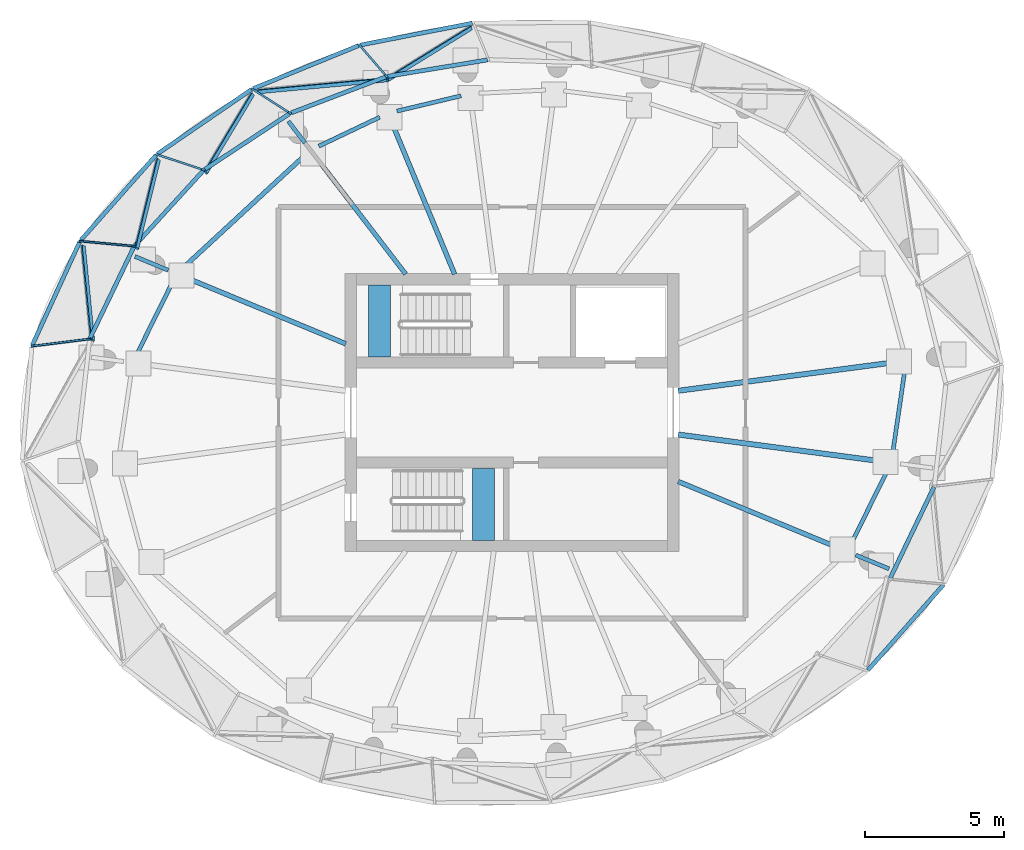
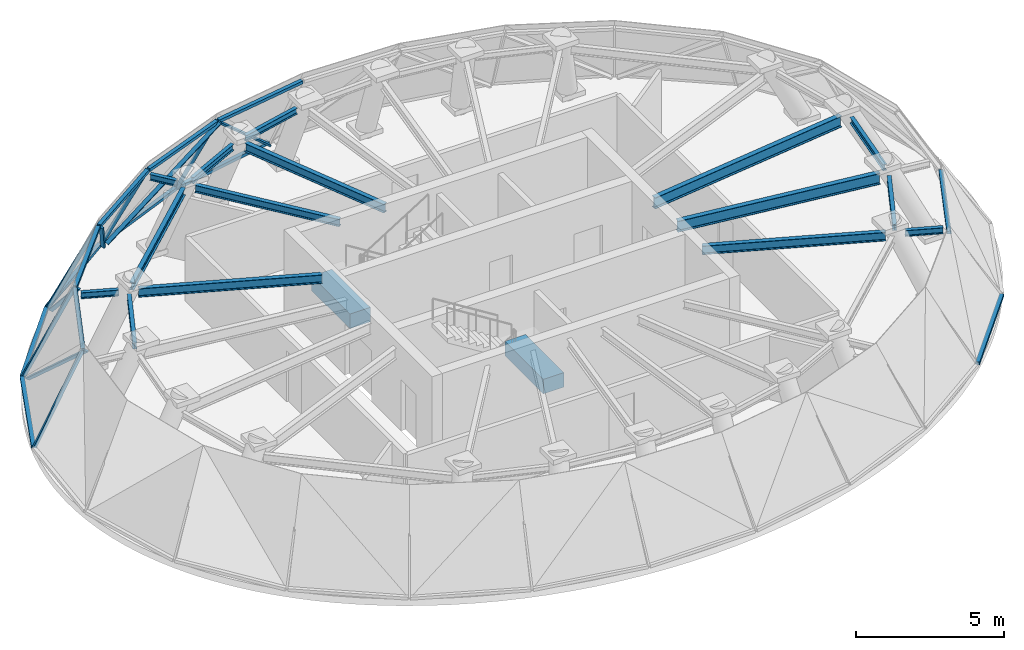
# One storey, part 3 of 9: 22 members, 17 beams, 13 elements without a shape of their own.
"""IFC4 building model written with IfcOpenShell, lengths in metres."""

from ifc_helpers import new_model, si_unit, direction, frame, origin, origin_2d, place, context, subcontext, project, spatial, rectangle, i_section, extrude, source, transform, mapped, material, layer, layer_set, material_profile, profile_set, type_object, element, aggregate, save


model = new_model("IFC4")

# Units and contexts
model_context = context("Model", 3, precision=1e-05, world=origin(), true_north=direction((0.0, 1.0)))
body_context = subcontext(model_context, "Body", "Model", "MODEL_VIEW")
ifc_project = project(units=[si_unit("LENGTHUNIT", "METRE"), si_unit("AREAUNIT", "SQUARE_METRE"), si_unit("VOLUMEUNIT", "CUBIC_METRE"), si_unit("PLANEANGLEUNIT", "RADIAN"), si_unit("MASSUNIT", "GRAM", prefix="KILO")], contexts=[model_context])

# Site, building, storey
site_placement = place(None, origin())
site = spatial("IfcSite", under=ifc_project, at=site_placement, CompositionType="ELEMENT")
building_placement = place(site_placement, origin())
building = spatial("IfcBuilding", under=site, at=building_placement, Name="Spindrift Exchange Tower", CompositionType="ELEMENT")
storey_placement = place(building_placement, frame((0.0, 0.0, 276.60009765625)))
storey = spatial("IfcBuildingStorey", under=building, at=storey_placement, Name="L68", CompositionType="ELEMENT", Elevation=276.60009765625)

# Beams
ifc_material_1 = material(Name="Steel Grade 300", Category="steel")
ifc_material_profile_1 = material_profile(ifc_material_1, i_section(OverallWidth=0.18994140625, OverallDepth=0.45703125, WebThickness=0.009033203125, FlangeThickness=0.014404296875, FilletRadius=0.013916015625, at=origin_2d()), Name="460UB74.6")
ifc_profile_set_1 = profile_set([ifc_material_profile_1], Name="Steel Grade 300")
beam_type_1 = type_object("IfcBeamType", Name="Floor Beam 460UB74.6 Steel Grade 300", PredefinedType="BEAM", material=ifc_profile_set_1)
shared_shape_1 = source(origin(), body_context, "Body", "SweptSolid", [
    extrude(i_section(OverallWidth=0.18994140625, OverallDepth=0.45703125, WebThickness=0.009033203125, FlangeThickness=0.014404296875, FilletRadius=0.013916015625, at=origin_2d()), origin(), (0.0, 0.0, 1.0), 7.943115234375),
])
beam_1_placement = place(storey_placement, frame((57.980224609375, 48.787353515625, 2.991455078125), z_axis=(0.991443726216, 0.130534814311, 0.0), x_axis=(-0.130534814311, 0.991443726216, 0.0)))
element("IfcBeam", 1, at=beam_1_placement, inside=storey, type_object=beam_type_1, Name="L68 radial beam R01A", PredefinedType="BEAM", context=body_context, shape_type="MappedRepresentation", body=[
    mapped(shared_shape_1, transform((0.0, 0.0, 0.0), scale=1.0)),
])
ifc_material_profile_2 = material_profile(ifc_material_1, i_section(OverallWidth=0.172119140625, OverallDepth=0.35888671875, WebThickness=0.008056640625, FlangeThickness=0.012939453125, FilletRadius=0.013916015625, at=origin_2d()), Name="360UB56.7")
ifc_profile_set_2 = profile_set([ifc_material_profile_2], Name="Steel Grade 300")
beam_type_2 = type_object("IfcBeamType", Name="Floor Beam 360UB56.7 Steel Grade 300", PredefinedType="BEAM", material=ifc_profile_set_2)
shared_shape_2 = source(origin(), body_context, "Body", "SweptSolid", [
    extrude(i_section(OverallWidth=0.172119140625, OverallDepth=0.35888671875, WebThickness=0.008056640625, FlangeThickness=0.012939453125, FilletRadius=0.013916015625, at=origin_2d()), origin(), (0.0, 0.0, 1.0), 5.937255859375),
])
beam_2_placement = place(storey_placement, frame((49.9365234375, 52.9814453125, 3.040283203125), z_axis=(-0.382664117037, 0.923887532946, 0.0), x_axis=(-0.923887532946, -0.382664117037, 0.0)))
element("IfcBeam", 2, at=beam_2_placement, inside=storey, type_object=beam_type_2, Name="L68 radial beam R08A", PredefinedType="BEAM", context=body_context, shape_type="MappedRepresentation", body=[
    mapped(shared_shape_2, transform((0.0, 0.0, 0.0), scale=1.0)),
])
ifc_material_profile_3 = material_profile(ifc_material_1, i_section(OverallWidth=0.1650390625, OverallDepth=0.303955078125, WebThickness=0.006103515625, FlangeThickness=0.01025390625, FilletRadius=0.011474609375, at=origin_2d()), Name="310UB40.4")
ifc_profile_set_3 = profile_set([ifc_material_profile_3], Name="Steel Grade 300")
beam_type_3 = type_object("IfcBeamType", Name="Floor Beam 310UB40.4 Steel Grade 300", PredefinedType="BEAM", material=ifc_profile_set_3)
shared_shape_3 = source(origin(), body_context, "Body", "SweptSolid", [
    extrude(i_section(OverallWidth=0.1650390625, OverallDepth=0.303955078125, WebThickness=0.006103515625, FlangeThickness=0.01025390625, FilletRadius=0.011474609375, at=origin_2d()), origin(), (0.0, 0.0, 1.0), 5.2939453125),
])
beam_3_placement = place(storey_placement, frame((48.175537109375, 52.984130859375, 3.06787109375), z_axis=(-0.608780987308, 0.793338332297, 0.0), x_axis=(-0.793338332297, -0.608780987308, 0.0)))
element("IfcBeam", 3, at=beam_3_placement, inside=storey, type_object=beam_type_3, Name="L68 radial beam R09A", PredefinedType="BEAM", context=body_context, shape_type="MappedRepresentation", body=[
    mapped(shared_shape_3, transform((0.0, 0.0, 0.0), scale=1.0)),
])
ifc_material_profile_4 = material_profile(ifc_material_1, i_section(OverallWidth=0.14599609375, OverallDepth=0.251953125, WebThickness=0.006103515625, FlangeThickness=0.008544921875, FilletRadius=0.011962890625, at=origin_2d()), Name="250UB31.4")
ifc_profile_set_4 = profile_set([ifc_material_profile_4], Name="Steel Grade 300")
beam_type_4 = type_object("IfcBeamType", Name="Cantilever Beam 250UB31.4 Steel Grade 300", PredefinedType="BEAM", material=ifc_profile_set_4)
shared_shape_4 = source(origin(), body_context, "Body", "SweptSolid", [
    extrude(i_section(OverallWidth=0.14599609375, OverallDepth=0.251953125, WebThickness=0.006103515625, FlangeThickness=0.008544921875, FilletRadius=0.011962890625, at=origin_2d()), origin(), (0.0, 0.0, 1.0), 0.979736328125),
])
beam_4_placement = place(storey_placement, frame((44.551025390625, 57.707763671875, 3.093994140625), z_axis=(-0.60873490351, 0.793373693318, 0.0), x_axis=(-0.793373693318, -0.60873490351, 0.0)))
element("IfcBeam", 4, at=beam_4_placement, inside=storey, type_object=beam_type_4, Name="L68 cantilever beam R09T", PredefinedType="BEAM", context=body_context, shape_type="MappedRepresentation", body=[
    mapped(shared_shape_4, transform((0.0, 0.0, 0.0), scale=1.0)),
])
shared_shape_5 = source(origin(), body_context, "Body", "SweptSolid", [
    extrude(i_section(OverallWidth=0.172119140625, OverallDepth=0.35888671875, WebThickness=0.008056640625, FlangeThickness=0.012939453125, FilletRadius=0.013916015625, at=origin_2d()), origin(), (0.0, 0.0, 1.0), 6.254150390625),
])
for number, where, z_axis, x_axis, name in (
    (5, (46.0185546875, 50.4775390625, 3.040283203125), (-0.923882187644, 0.382677022245, 0.0), (-0.382677022245, -0.923882187644, 0.0), "L68 radial beam R11A"),
    (6, (57.9814453125, 45.5224609375, 3.040283203125), (0.923882187644, -0.382677022245, 0.0), (0.382677022245, 0.923882187644, 0.0), "L68 radial beam R23A"),
):
    element("IfcBeam", number, at=place(storey_placement, frame(where, z_axis=z_axis, x_axis=x_axis)), inside=storey, type_object=beam_type_2, Name=name, PredefinedType="BEAM", context=body_context, shape_type="MappedRepresentation", body=[
        mapped(shared_shape_5, transform((0.0, 0.0, 0.0), scale=1.0)),
    ])
shared_shape_6 = source(origin(), body_context, "Body", "SweptSolid", [
    extrude(i_section(OverallWidth=0.14599609375, OverallDepth=0.251953125, WebThickness=0.006103515625, FlangeThickness=0.008544921875, FilletRadius=0.011962890625, at=origin_2d()), origin(), (0.0, 0.0, 1.0), 1.295654296875),
])
for number, where, z_axis, x_axis, name in (
    (7, (39.630859375, 53.12353515625, 3.093994140625), (-0.92387214393, 0.382701269492, 0.0), (-0.382701269492, -0.92387214393, 0.0), "L68 cantilever beam R11T"),
    (8, (64.369140625, 42.87646484375, 3.093994140625), (0.92387214393, -0.382701269492, 0.0), (0.382701269492, 0.92387214393, 0.0), "L68 cantilever beam R23T"),
):
    element("IfcBeam", number, at=place(storey_placement, frame(where, z_axis=z_axis, x_axis=x_axis)), inside=storey, type_object=beam_type_4, Name=name, PredefinedType="BEAM", context=body_context, shape_type="MappedRepresentation", body=[
        mapped(shared_shape_6, transform((0.0, 0.0, 0.0), scale=1.0)),
    ])
shared_shape_7 = source(origin(), body_context, "Body", "SweptSolid", [
    extrude(i_section(OverallWidth=0.18994140625, OverallDepth=0.45703125, WebThickness=0.009033203125, FlangeThickness=0.014404296875, FilletRadius=0.013916015625, at=origin_2d()), origin(), (0.0, 0.0, 1.0), 7.403076171875),
])
beam_5_placement = place(storey_placement, frame((57.980224609375, 47.212646484375, 2.991455078125), z_axis=(0.991444864308, -0.130526169935, 0.0), x_axis=(0.130526169935, 0.991444864308, 0.0)))
element("IfcBeam", 9, at=beam_5_placement, inside=storey, type_object=beam_type_1, Name="L68 radial beam R24A", PredefinedType="BEAM", context=body_context, shape_type="MappedRepresentation", body=[
    mapped(shared_shape_7, transform((0.0, 0.0, 0.0), scale=1.0)),
])
ifc_material_profile_5 = material_profile(ifc_material_1, i_section(OverallWidth=0.14599609375, OverallDepth=0.251953125, WebThickness=0.006103515625, FlangeThickness=0.008544921875, FilletRadius=0.011962890625, at=origin_2d()), Name="250UB31.4")
ifc_profile_set_5 = profile_set([ifc_material_profile_5], Name="Steel Grade 300")
beam_type_5 = type_object("IfcBeamType", Name="Edge Beam 250UB31.4 Steel Grade 300", PredefinedType="SPANDREL", material=ifc_profile_set_5)
shared_shape_8 = source(origin(), body_context, "Body", "SweptSolid", [
    extrude(i_section(OverallWidth=0.14599609375, OverallDepth=0.251953125, WebThickness=0.006103515625, FlangeThickness=0.008544921875, FilletRadius=0.011962890625, at=origin_2d()), origin(), (0.0, 0.0, 1.0), 2.373779296875),
])
beam_6_placement = place(storey_placement, frame((50.168212890625, 59.399169921875, 3.093994140625), z_axis=(-0.972682475793, -0.232139615932, 0.0), x_axis=(0.232139615932, -0.972682475793, 0.0)))
element("IfcBeam", 10, at=beam_6_placement, inside=storey, type_object=beam_type_5, Name="L68 edge beam E07", PredefinedType="SPANDREL", context=body_context, shape_type="MappedRepresentation", body=[
    mapped(shared_shape_8, transform((0.0, 0.0, 0.0), scale=1.0)),
])
shared_shape_9 = source(origin(), body_context, "Body", "SweptSolid", [
    extrude(i_section(OverallWidth=0.14599609375, OverallDepth=0.251953125, WebThickness=0.006103515625, FlangeThickness=0.008544921875, FilletRadius=0.011962890625, at=origin_2d()), origin(), (0.0, 0.0, 1.0), 2.42578125),
])
beam_7_placement = place(storey_placement, frame((47.240234375, 58.6298828125, 3.093994140625), z_axis=(-0.902992561973, -0.429656180011, 0.0), x_axis=(0.429656180011, -0.902992561973, 0.0)))
element("IfcBeam", 11, at=beam_7_placement, inside=storey, type_object=beam_type_5, Name="L68 edge beam E08", PredefinedType="SPANDREL", context=body_context, shape_type="MappedRepresentation", body=[
    mapped(shared_shape_9, transform((0.0, 0.0, 0.0), scale=1.0)),
])
ifc_material_profile_6 = material_profile(ifc_material_1, i_section(OverallWidth=0.1650390625, OverallDepth=0.303955078125, WebThickness=0.006103515625, FlangeThickness=0.01025390625, FilletRadius=0.011474609375, at=origin_2d()), Name="310UB40.4")
ifc_profile_set_6 = profile_set([ifc_material_profile_6], Name="Steel Grade 300")
beam_type_6 = type_object("IfcBeamType", Name="Edge Beam 310UB40.4 Steel Grade 300", PredefinedType="SPANDREL", material=ifc_profile_set_6)
shared_shape_10 = source(origin(), body_context, "Body", "SweptSolid", [
    extrude(i_section(OverallWidth=0.1650390625, OverallDepth=0.303955078125, WebThickness=0.006103515625, FlangeThickness=0.01025390625, FilletRadius=0.011474609375, at=origin_2d()), origin(), (0.0, 0.0, 1.0), 5.896728515625),
])
beam_8_placement = place(storey_placement, frame((44.509521484375, 57.22216796875, 3.06787109375), z_axis=(-0.734581175456, -0.678520815205, 0.0), x_axis=(0.678520815205, -0.734581175456, 0.0)))
element("IfcBeam", 12, at=beam_8_placement, inside=storey, type_object=beam_type_6, Name="L68 edge beam E09", PredefinedType="SPANDREL", context=body_context, shape_type="MappedRepresentation", body=[
    mapped(shared_shape_10, transform((0.0, 0.0, 0.0), scale=1.0)),
])
shared_shape_11 = source(origin(), body_context, "Body", "SweptSolid", [
    extrude(i_section(OverallWidth=0.14599609375, OverallDepth=0.251953125, WebThickness=0.006103515625, FlangeThickness=0.008544921875, FilletRadius=0.011962890625, at=origin_2d()), origin(), (0.0, 0.0, 1.0), 2.910400390625),
])
for number, where, z_axis, x_axis, name in (
    (13, (39.789306640625, 52.701416015625, 3.093994140625), (-0.44331722895, -0.896364788753, 0.0), (0.896364788753, -0.44331722895, 0.0), "L68 edge beam E11"),
    (14, (64.210693359375, 43.298583984375, 3.093994140625), (0.44331722895, 0.896364788753, 0.0), (-0.896364788753, 0.44331722895, 0.0), "L68 edge beam E23"),
):
    element("IfcBeam", number, at=place(storey_placement, frame(where, z_axis=z_axis, x_axis=x_axis)), inside=storey, type_object=beam_type_5, Name=name, PredefinedType="SPANDREL", context=body_context, shape_type="MappedRepresentation", body=[
        mapped(shared_shape_11, transform((0.0, 0.0, 0.0), scale=1.0)),
    ])
shared_shape_12 = source(origin(), body_context, "Body", "SweptSolid", [
    extrude(i_section(OverallWidth=0.14599609375, OverallDepth=0.251953125, WebThickness=0.006103515625, FlangeThickness=0.008544921875, FilletRadius=0.011962890625, at=origin_2d()), origin(), (0.0, 0.0, 1.0), 3.04296875),
])
beam_9_placement = place(storey_placement, frame((65.69482421875, 46.52978515625, 3.093994140625), z_axis=(0.144655492732, 0.9894820809, 0.0), x_axis=(-0.9894820809, 0.144655492732, 0.0)))
element("IfcBeam", 15, at=beam_9_placement, inside=storey, type_object=beam_type_5, Name="L68 edge beam E24", PredefinedType="SPANDREL", context=body_context, shape_type="MappedRepresentation", body=[
    mapped(shared_shape_12, transform((0.0, 0.0, 0.0), scale=1.0)),
])

# Curtain wall, member
ifc_material_2 = material(Name="Fritted laminated glass with bronze frame", Category="glass")
ifc_layer = layer(ifc_material_2, 0.14990234375)
ifc_layer_set = layer_set([ifc_layer], Name="CROWN BRONZE RAKED GLAZED WALL")
curtain_wall_type = type_object("IfcCurtainWallType", Name="CROWN BRONZE RAKED GLAZED WALL", PredefinedType="NOTDEFINED", material=ifc_layer_set)
curtain_wall_1_placement = place(storey_placement, origin())
curtain_wall_1 = element("IfcCurtainWall", 16, at=curtain_wall_1_placement, inside=storey, type_object=curtain_wall_type, Name="L68 Crown Bronze Raked Glazed Wall facet 21", PredefinedType="NOTDEFINED")
ifc_material_3 = material(Name="Bronze anodised aluminium", Category="aluminium")
ifc_material_profile_7 = material_profile(ifc_material_3, rectangle(XDim=0.14990234375, YDim=0.1201171875, at=origin_2d()), Name="CROWN BRONZE RAKED GLAZED WALL TRANSOM 150X120")
ifc_profile_set_7 = profile_set([ifc_material_profile_7], Name="Bronze anodised aluminium")
member_type_1 = type_object("IfcMemberType", Name="CROWN BRONZE RAKED GLAZED WALL TRANSOM 150X120", PredefinedType="USERDEFINED", material=ifc_profile_set_7)
shared_shape_13 = source(origin(), body_context, "Body", "SweptSolid", [
    extrude(rectangle(XDim=0.14990234375, YDim=0.1201171875, at=origin_2d()), origin(), (0.0, 0.0, 1.0), 4.0888671875),
])
member_1_placement = place(storey_placement, frame((36.443603515625, 54.138916015625, 0.059814453125), z_axis=(-0.416891135404, -0.90895642427, 0.0), x_axis=(0.90895642427, -0.416891135404, 0.0)))
member_1 = element("IfcMember", 17, at=member_1_placement, type_object=member_type_1, Name="L68 transom CW-R.11a", ObjectType="TRANSOM", PredefinedType="USERDEFINED", context=body_context, shape_type="MappedRepresentation", body=[
    mapped(shared_shape_13, transform((0.0, 0.0, 0.0), scale=1.0)),
])

curtain_wall_2_placement = place(storey_placement, origin())
curtain_wall_2 = element("IfcCurtainWall", 18, at=curtain_wall_2_placement, inside=storey, type_object=curtain_wall_type, Name="L68 Crown Bronze Raked Glazed Wall facet 17", PredefinedType="NOTDEFINED")
shared_shape_14 = source(origin(), body_context, "Body", "SweptSolid", [
    extrude(rectangle(XDim=0.14990234375, YDim=0.1201171875, at=origin_2d()), origin(), (0.0, 0.0, 1.0), 4.097900390625),
])
member_2_placement = place(storey_placement, frame((42.627197265625, 59.625, 0.059814453125), z_axis=(-0.825102616768, -0.564982895141, 0.0), x_axis=(0.564982895141, -0.825102616768, 0.0)))
member_2 = element("IfcMember", 19, at=member_2_placement, type_object=member_type_1, Name="L68 transom CW-R.9a", ObjectType="TRANSOM", PredefinedType="USERDEFINED", context=body_context, shape_type="MappedRepresentation", body=[
    mapped(shared_shape_14, transform((0.0, 0.0, 0.0), scale=1.0)),
])

curtain_wall_3_placement = place(storey_placement, origin())
curtain_wall_3 = element("IfcCurtainWall", 20, at=curtain_wall_3_placement, inside=storey, type_object=curtain_wall_type, Name="L68 Crown Bronze Raked Glazed Wall facet 15", PredefinedType="NOTDEFINED")
shared_shape_15 = source(origin(), body_context, "Body", "SweptSolid", [
    extrude(rectangle(XDim=0.14990234375, YDim=0.1201171875, at=origin_2d()), origin(), (0.0, 0.0, 1.0), 4.099609375),
])
member_3_placement = place(storey_placement, frame((42.6884765625, 59.657958984375, 0.059814453125), z_axis=(0.92589185911, 0.377788651543, 0.0), x_axis=(-0.377788651543, 0.92589185911, 0.0)))
member_3 = element("IfcMember", 21, at=member_3_placement, type_object=member_type_1, Name="L68 transom CW-R.8a", ObjectType="TRANSOM", PredefinedType="USERDEFINED", context=body_context, shape_type="MappedRepresentation", body=[
    mapped(shared_shape_15, transform((0.0, 0.0, 0.0), scale=1.0)),
])

curtain_wall_4_placement = place(storey_placement, origin())
curtain_wall_4 = element("IfcCurtainWall", 22, at=curtain_wall_4_placement, inside=storey, type_object=curtain_wall_type, Name="L68 Crown Bronze Raked Glazed Wall facet 13", PredefinedType="NOTDEFINED")
shared_shape_16 = source(origin(), body_context, "Body", "SweptSolid", [
    extrude(rectangle(XDim=0.14990234375, YDim=0.1201171875, at=origin_2d()), origin(), (0.0, 0.0, 1.0), 4.100341796875),
])
member_4_placement = place(storey_placement, frame((50.575439453125, 62.013671875, 0.059814453125), z_axis=(-0.981414356528, -0.191900653467, 0.0), x_axis=(0.191900653467, -0.981414356528, 0.0)))
member_4 = element("IfcMember", 23, at=member_4_placement, type_object=member_type_1, Name="L68 transom CW-R.7a", ObjectType="TRANSOM", PredefinedType="USERDEFINED", context=body_context, shape_type="MappedRepresentation", body=[
    mapped(shared_shape_16, transform((0.0, 0.0, 0.0), scale=1.0)),
])

curtain_wall_5_placement = place(storey_placement, origin())
curtain_wall_5 = element("IfcCurtainWall", 24, at=curtain_wall_5_placement, inside=storey, type_object=curtain_wall_type, Name="L68 Crown Bronze Raked Glazed Wall facet 19", PredefinedType="NOTDEFINED")
shared_shape_17 = source(origin(), body_context, "Body", "SweptSolid", [
    extrude(rectangle(XDim=0.14990234375, YDim=0.1201171875, at=origin_2d()), origin(), (0.0, 0.0, 1.0), 4.094482421875),
])
member_5_placement = place(storey_placement, frame((39.194091796875, 57.263916015625, 0.059814453125), z_axis=(-0.662522417802, -0.74904208554, 0.0), x_axis=(0.74904208554, -0.662522417802, 0.0)))
member_5 = element("IfcMember", 25, at=member_5_placement, type_object=member_type_1, Name="L68 transom CW-R.10a", ObjectType="TRANSOM", PredefinedType="USERDEFINED", context=body_context, shape_type="MappedRepresentation", body=[
    mapped(shared_shape_17, transform((0.0, 0.0, 0.0), scale=1.0)),
])

curtain_wall_6_placement = place(storey_placement, origin())
curtain_wall_6 = element("IfcCurtainWall", 26, at=curtain_wall_6_placement, inside=storey, type_object=curtain_wall_type, Name="L68 Crown Bronze Raked Glazed Wall facet 43", PredefinedType="NOTDEFINED")
member_6_placement = place(storey_placement, frame((64.805908203125, 38.736083984375, 0.059814453125), z_axis=(0.662522417802, 0.74904208554, 0.0), x_axis=(-0.74904208554, 0.662522417802, 0.0)))
member_6 = element("IfcMember", 27, at=member_6_placement, type_object=member_type_1, Name="L68 transom CW-R.22a", ObjectType="TRANSOM", PredefinedType="USERDEFINED", context=body_context, shape_type="MappedRepresentation", body=[
    mapped(shared_shape_17, transform((0.0, 0.0, 0.0), scale=1.0)),
])
aggregate(curtain_wall_6, [member_6])

curtain_wall_7_placement = place(storey_placement, origin())
curtain_wall_7 = element("IfcCurtainWall", 28, at=curtain_wall_7_placement, inside=storey, type_object=curtain_wall_type, Name="L68 Crown Bronze Raked Glazed Wall facet 22", PredefinedType="NOTDEFINED")
shared_shape_18 = source(origin(), body_context, "Body", "SweptSolid", [
    extrude(rectangle(XDim=0.14990234375, YDim=0.1201171875, at=origin_2d()), origin(), (0.0, 0.0, 1.0), 3.637939453125),
])
member_7_placement = place(storey_placement, frame((38.394775390625, 53.958984375, 3.159912109375), z_axis=(-0.433119367605, -0.901336570547, 0.0), x_axis=(0.901336570547, -0.433119367605, 0.0)))
member_7 = element("IfcMember", 29, at=member_7_placement, type_object=member_type_1, Name="L68 transom CW-R.11b", ObjectType="TRANSOM", PredefinedType="USERDEFINED", context=body_context, shape_type="MappedRepresentation", body=[
    mapped(shared_shape_18, transform((0.0, 0.0, 0.0), scale=1.0)),
])

curtain_wall_8_placement = place(storey_placement, origin())
curtain_wall_8 = element("IfcCurtainWall", 30, at=curtain_wall_8_placement, inside=storey, type_object=curtain_wall_type, Name="L68 Crown Bronze Raked Glazed Wall facet 46", PredefinedType="NOTDEFINED")
member_8_placement = place(storey_placement, frame((65.605224609375, 42.041015625, 3.159912109375), z_axis=(0.433119367605, 0.901336570547, 0.0), x_axis=(-0.901336570547, 0.433119367605, 0.0)))
member_8 = element("IfcMember", 31, at=member_8_placement, type_object=member_type_1, Name="L68 transom CW-R.23b", ObjectType="TRANSOM", PredefinedType="USERDEFINED", context=body_context, shape_type="MappedRepresentation", body=[
    mapped(shared_shape_18, transform((0.0, 0.0, 0.0), scale=1.0)),
])
aggregate(curtain_wall_8, [member_8])

curtain_wall_9_placement = place(storey_placement, origin())
curtain_wall_9 = element("IfcCurtainWall", 32, at=curtain_wall_9_placement, inside=storey, type_object=curtain_wall_type, Name="L68 Crown Bronze Raked Glazed Wall facet 20", PredefinedType="NOTDEFINED")
shared_shape_19 = source(origin(), body_context, "Body", "SweptSolid", [
    extrude(rectangle(XDim=0.14990234375, YDim=0.1201171875, at=origin_2d()), origin(), (0.0, 0.0, 1.0), 3.642333984375),
])
member_9_placement = place(storey_placement, frame((40.89013671875, 56.70556640625, 3.159912109375), z_axis=(-0.674445762336, -0.738324395958, 0.0), x_axis=(0.738324395958, -0.674445762336, 0.0)))
member_9 = element("IfcMember", 33, at=member_9_placement, type_object=member_type_1, Name="L68 transom CW-R.10b", ObjectType="TRANSOM", PredefinedType="USERDEFINED", context=body_context, shape_type="MappedRepresentation", body=[
    mapped(shared_shape_19, transform((0.0, 0.0, 0.0), scale=1.0)),
])

curtain_wall_10_placement = place(storey_placement, origin())
curtain_wall_10 = element("IfcCurtainWall", 34, at=curtain_wall_10_placement, inside=storey, type_object=curtain_wall_type, Name="L68 Crown Bronze Raked Glazed Wall facet 16", PredefinedType="NOTDEFINED")
shared_shape_20 = source(origin(), body_context, "Body", "SweptSolid", [
    extrude(rectangle(XDim=0.14990234375, YDim=0.1201171875, at=origin_2d()), origin(), (0.0, 0.0, 1.0), 3.646728515625),
])
member_10_placement = place(storey_placement, frame((44.051025390625, 58.78466796875, 3.159912109375), z_axis=(0.934654139779, 0.355558207604, 0.0), x_axis=(-0.355558207604, 0.934654139779, 0.0)))
member_10 = element("IfcMember", 35, at=member_10_placement, type_object=member_type_1, Name="L68 transom CW-R.8b", ObjectType="TRANSOM", PredefinedType="USERDEFINED", context=body_context, shape_type="MappedRepresentation", body=[
    mapped(shared_shape_20, transform((0.0, 0.0, 0.0), scale=1.0)),
])

curtain_wall_11_placement = place(storey_placement, origin())
curtain_wall_11 = element("IfcCurtainWall", 36, at=curtain_wall_11_placement, inside=storey, type_object=curtain_wall_type, Name="L68 Crown Bronze Raked Glazed Wall facet 14", PredefinedType="NOTDEFINED")
shared_shape_21 = source(origin(), body_context, "Body", "SweptSolid", [
    extrude(rectangle(XDim=0.14990234375, YDim=0.1201171875, at=origin_2d()), origin(), (0.0, 0.0, 1.0), 3.6474609375),
])
member_11_placement = place(storey_placement, frame((51.12548828125, 60.692626953125, 3.159912109375), z_axis=(-0.986694371983, -0.162586027376, 0.0), x_axis=(0.162586027376, -0.986694371983, 0.0)))
member_11 = element("IfcMember", 37, at=member_11_placement, type_object=member_type_1, Name="L68 transom CW-R.7b", ObjectType="TRANSOM", PredefinedType="USERDEFINED", context=body_context, shape_type="MappedRepresentation", body=[
    mapped(shared_shape_21, transform((0.0, 0.0, 0.0), scale=1.0)),
])
aggregate(curtain_wall_11, [member_11])

# Member
ifc_material_profile_8 = material_profile(ifc_material_3, rectangle(XDim=0.070068359375, YDim=0.14990234375, at=origin_2d()), Name="CROWN BRONZE RAKED GLAZED WALL MULLION 70X150")
ifc_profile_set_8 = profile_set([ifc_material_profile_8], Name="Bronze anodised aluminium")
member_type_2 = type_object("IfcMemberType", Name="CROWN BRONZE RAKED GLAZED WALL MULLION 70X150", PredefinedType="MULLION", material=ifc_profile_set_8)
shared_shape_22 = source(origin(), body_context, "Body", "SweptSolid", [
    extrude(rectangle(XDim=0.070068359375, YDim=0.14990234375, at=origin_2d()), origin(), (0.0, 0.0, 1.0), 4.707763671875),
])
member_12_placement = place(storey_placement, frame((50.5322265625, 61.8427734375, 0.05615234375), z_axis=(-0.639049614596, -0.394900820835, 0.660052218987), x_axis=(0.748105242214, -0.119678494128, 0.652698708911)))
member_12 = element("IfcMember", 38, at=member_12_placement, type_object=member_type_2, Name="L68 glazing bar CW-R.7", PredefinedType="MULLION", context=body_context, shape_type="MappedRepresentation", body=[
    mapped(shared_shape_22, transform((0.0, 0.0, 0.0), scale=1.0)),
])

aggregate(curtain_wall_4, [member_4, member_12])

shared_shape_23 = source(origin(), body_context, "Body", "SweptSolid", [
    extrude(rectangle(XDim=0.070068359375, YDim=0.14990234375, at=origin_2d()), origin(), (0.0, 0.0, 1.0), 3.478515625),
])
member_13_placement = place(storey_placement, frame((46.5263671875, 61.208984375, 0.031494140625), z_axis=(0.274911935111, -0.317443625863, 0.907553288977), x_axis=(0.75593166722, 0.654650528521, 0.0)))
member_13 = element("IfcMember", 39, at=member_13_placement, type_object=member_type_2, Name="L68 mullion CW-R.8", PredefinedType="MULLION", context=body_context, shape_type="MappedRepresentation", body=[
    mapped(shared_shape_23, transform((0.0, 0.0, 0.0), scale=1.0)),
])

aggregate(curtain_wall_3, [member_3, member_13])

shared_shape_24 = source(origin(), body_context, "Body", "SweptSolid", [
    extrude(rectangle(XDim=0.070068359375, YDim=0.14990234375, at=origin_2d()), origin(), (0.0, 0.0, 1.0), 5.600830078125),
])
member_14_placement = place(storey_placement, frame((42.8623046875, 59.5498046875, 0.0625), z_axis=(0.829893647895, 0.077022011441, 0.552579535394), x_axis=(0.451663631487, 0.488686063445, -0.746448856511)))
member_14 = element("IfcMember", 40, at=member_14_placement, type_object=member_type_2, Name="L68 glazing bar CW-R.8", PredefinedType="MULLION", context=body_context, shape_type="MappedRepresentation", body=[
    mapped(shared_shape_24, transform((0.0, 0.0, 0.0), scale=1.0)),
])

aggregate(curtain_wall_10, [member_10, member_14])

# Curtain wall, members
curtain_wall_12_placement = place(storey_placement, origin())
curtain_wall_12 = element("IfcCurtainWall", 41, at=curtain_wall_12_placement, inside=storey, type_object=curtain_wall_type, Name="L68 Crown Bronze Raked Glazed Wall facet 18", PredefinedType="NOTDEFINED")
shared_shape_25 = source(origin(), body_context, "Body", "SweptSolid", [
    extrude(rectangle(XDim=0.14990234375, YDim=0.1201171875, at=origin_2d()), origin(), (0.0, 0.0, 1.0), 3.645263671875),
])
member_15_placement = place(storey_placement, frame((43.989013671875, 58.7529296875, 3.159912109375), z_axis=(-0.835618526888, -0.54931018334, 0.0), x_axis=(0.54931018334, -0.835618526888, 0.0)))
member_15 = element("IfcMember", 42, at=member_15_placement, type_object=member_type_1, Name="L68 transom CW-R.9b", ObjectType="TRANSOM", PredefinedType="USERDEFINED", context=body_context, shape_type="MappedRepresentation", body=[
    mapped(shared_shape_25, transform((0.0, 0.0, 0.0), scale=1.0)),
])
shared_shape_26 = source(origin(), body_context, "Body", "SweptSolid", [
    extrude(rectangle(XDim=0.070068359375, YDim=0.14990234375, at=origin_2d()), origin(), (0.0, 0.0, 1.0), 3.528076171875),
])
member_16_placement = place(storey_placement, frame((42.67041015625, 59.635498046875, 0.03369140625), z_axis=(0.377975417823, -0.242134014457, 0.893591462898), x_axis=(0.539416743344, 0.842038940311, 0.0)))
member_16 = element("IfcMember", 43, at=member_16_placement, type_object=member_type_2, Name="L68 mullion CW-R.9", PredefinedType="MULLION", context=body_context, shape_type="MappedRepresentation", body=[
    mapped(shared_shape_26, transform((0.0, 0.0, 0.0), scale=1.0)),
])
aggregate(curtain_wall_12, [member_15, member_16])

# Member
shared_shape_27 = source(origin(), body_context, "Body", "SweptSolid", [
    extrude(rectangle(XDim=0.070068359375, YDim=0.14990234375, at=origin_2d()), origin(), (0.0, 0.0, 1.0), 4.52099609375),
])
member_17_placement = place(storey_placement, frame((42.665771484375, 59.4541015625, 0.05419921875), z_axis=(-0.372400439081, -0.622647485876, 0.688206379878), x_axis=(0.766349049522, 0.21195762921, 0.60645123276)))
member_17 = element("IfcMember", 44, at=member_17_placement, type_object=member_type_2, Name="L68 glazing bar CW-R.9", PredefinedType="MULLION", context=body_context, shape_type="MappedRepresentation", body=[
    mapped(shared_shape_27, transform((0.0, 0.0, 0.0), scale=1.0)),
])

aggregate(curtain_wall_2, [member_2, member_17])

shared_shape_28 = source(origin(), body_context, "Body", "SweptSolid", [
    extrude(rectangle(XDim=0.070068359375, YDim=0.14990234375, at=origin_2d()), origin(), (0.0, 0.0, 1.0), 3.59912109375),
])
member_18_placement = place(storey_placement, frame((39.236328125, 57.28369140625, 0.036376953125), z_axis=(0.460738506127, -0.151747944377, 0.874467032168), x_axis=(0.312827565719, 0.94980993579, 0.0)))
member_18 = element("IfcMember", 45, at=member_18_placement, type_object=member_type_2, Name="L68 mullion CW-R.10", PredefinedType="MULLION", context=body_context, shape_type="MappedRepresentation", body=[
    mapped(shared_shape_28, transform((0.0, 0.0, 0.0), scale=1.0)),
])

aggregate(curtain_wall_9, [member_9, member_18])

shared_shape_29 = source(origin(), body_context, "Body", "SweptSolid", [
    extrude(rectangle(XDim=0.070068359375, YDim=0.14990234375, at=origin_2d()), origin(), (0.0, 0.0, 1.0), 4.5224609375),
])
member_19_placement = place(storey_placement, frame((39.276123046875, 57.102783203125, 0.05419921875), z_axis=(-0.172481371825, -0.704933256118, 0.687982035225), x_axis=(0.712167918339, 0.393273954645, 0.581508772665)))
member_19 = element("IfcMember", 46, at=member_19_placement, type_object=member_type_2, Name="L68 glazing bar CW-R.10", PredefinedType="MULLION", context=body_context, shape_type="MappedRepresentation", body=[
    mapped(shared_shape_29, transform((0.0, 0.0, 0.0), scale=1.0)),
])

aggregate(curtain_wall_5, [member_5, member_19])

shared_shape_30 = source(origin(), body_context, "Body", "SweptSolid", [
    extrude(rectangle(XDim=0.070068359375, YDim=0.14990234375, at=origin_2d()), origin(), (0.0, 0.0, 1.0), 3.678466796875),
])
member_20_placement = place(storey_placement, frame((36.48193359375, 54.168701171875, 0.038818359375), z_axis=(0.517756480349, -0.047853149895, 0.854188681207), x_axis=(0.092031806804, 0.995756067788, 0.0)))
member_20 = element("IfcMember", 47, at=member_20_placement, type_object=member_type_2, Name="L68 mullion CW-R.11", PredefinedType="MULLION", context=body_context, shape_type="MappedRepresentation", body=[
    mapped(shared_shape_30, transform((0.0, 0.0, 0.0), scale=1.0)),
])

aggregate(curtain_wall_7, [member_7, member_20])

shared_shape_31 = source(origin(), body_context, "Body", "SweptSolid", [
    extrude(rectangle(XDim=0.070068359375, YDim=0.14990234375, at=origin_2d()), origin(), (0.0, 0.0, 1.0), 4.619873046875),
])
member_21_placement = place(storey_placement, frame((36.572509765625, 53.998291015625, 0.055419921875), z_axis=(0.072241299581, -0.736153111316, 0.672948580007), x_axis=(0.59239846157, 0.574475947643, 0.564837541519)))
member_21 = element("IfcMember", 48, at=member_21_placement, type_object=member_type_2, Name="L68 glazing bar CW-R.11", PredefinedType="MULLION", context=body_context, shape_type="MappedRepresentation", body=[
    mapped(shared_shape_31, transform((0.0, 0.0, 0.0), scale=1.0)),
])

aggregate(curtain_wall_1, [member_1, member_21])

# Curtain wall, member
curtain_wall_13_placement = place(storey_placement, origin())
curtain_wall_13 = element("IfcCurtainWall", 49, at=curtain_wall_13_placement, inside=storey, type_object=curtain_wall_type, Name="L68 Crown Bronze Raked Glazed Wall facet 23", PredefinedType="NOTDEFINED")
shared_shape_32 = source(origin(), body_context, "Body", "SweptSolid", [
    extrude(rectangle(XDim=0.070068359375, YDim=0.14990234375, at=origin_2d()), origin(), (0.0, 0.0, 1.0), 3.744140625),
])
member_22_placement = place(storey_placement, frame((34.7509765625, 50.393798828125, 0.040771484375), z_axis=(0.541275521266, 0.067162243935, 0.838158721883), x_axis=(-0.123137134607, 0.992389664437, 0.0)))
member_22 = element("IfcMember", 50, at=member_22_placement, type_object=member_type_2, Name="L68 mullion CW-R.12", PredefinedType="MULLION", context=body_context, shape_type="MappedRepresentation", body=[
    mapped(shared_shape_32, transform((0.0, 0.0, 0.0), scale=1.0)),
])
aggregate(curtain_wall_13, [member_22])

# Beams
ifc_material_4 = material(Name="Concrete 40 MPa", Category="concrete")
ifc_material_profile_9 = material_profile(ifc_material_4, rectangle(XDim=0.800048828125, YDim=0.60009765625, at=origin_2d()), Name="RC 800x600")
ifc_profile_set_9 = profile_set([ifc_material_profile_9], Name="Concrete 40 MPa")
beam_type_7 = type_object("IfcBeamType", Name="RC Landing Beam 800x600 Concrete 40 MPa", PredefinedType="BEAM", material=ifc_profile_set_9)
shared_shape_33 = source(origin(), body_context, "Body", "SweptSolid", [
    extrude(rectangle(XDim=0.800048828125, YDim=0.60009765625, at=origin_2d()), origin(), (0.0, 0.0, 1.0), 2.59912109375),
])
for number, where, z_axis, x_axis, name in (
    (51, (47.22998046875, 50.00048828125, 1.25), (0.0, 1.0, 0.0), (-1.0, 0.0, 0.0), "ST3 landing beam L68"),
    (52, (50.969970703125, 43.400390625, 1.25), (0.0, 1.0, 0.0), (-1.0, 0.0, 0.0), "ST4 landing beam L68"),
):
    element("IfcBeam", number, at=place(storey_placement, frame(where, z_axis=z_axis, x_axis=x_axis)), inside=storey, type_object=beam_type_7, Name=name, PredefinedType="BEAM", context=body_context, shape_type="MappedRepresentation", body=[
        mapped(shared_shape_33, transform((0.0, 0.0, 0.0), scale=1.0)),
    ])

save(model, "model.ifc")
